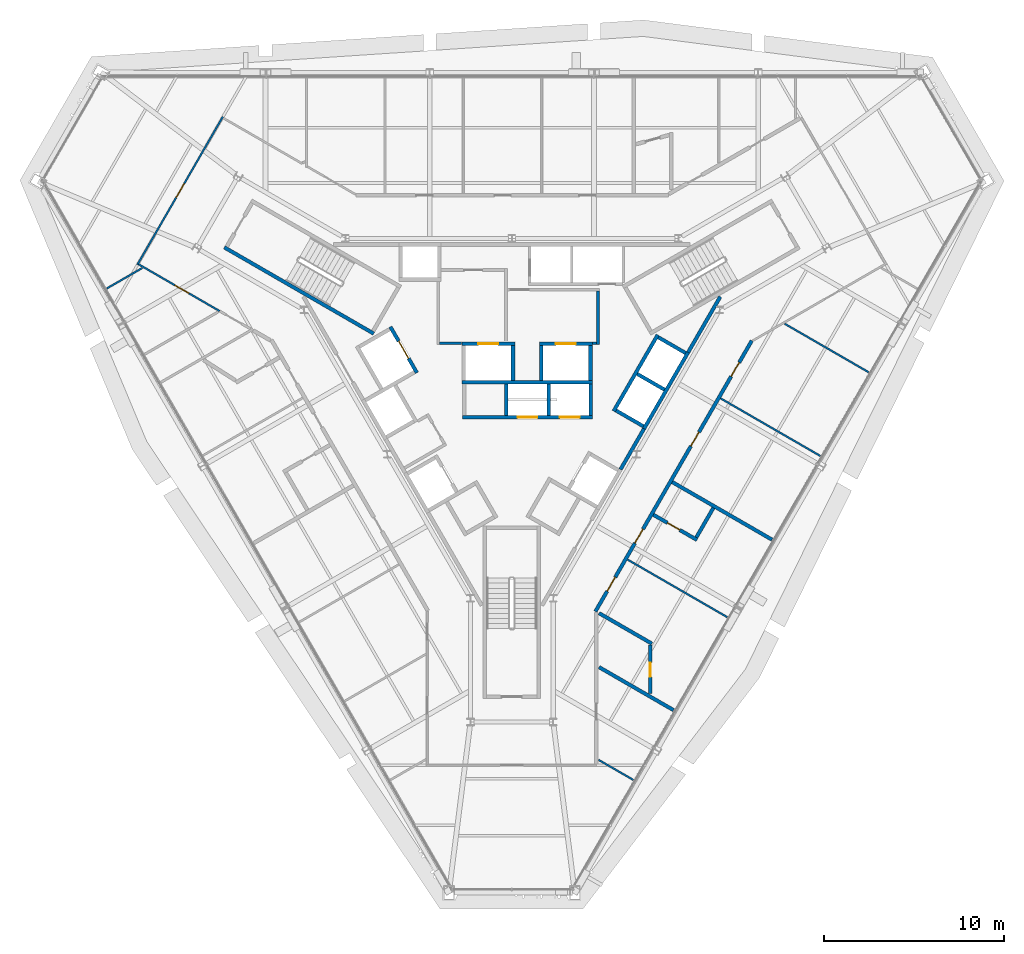
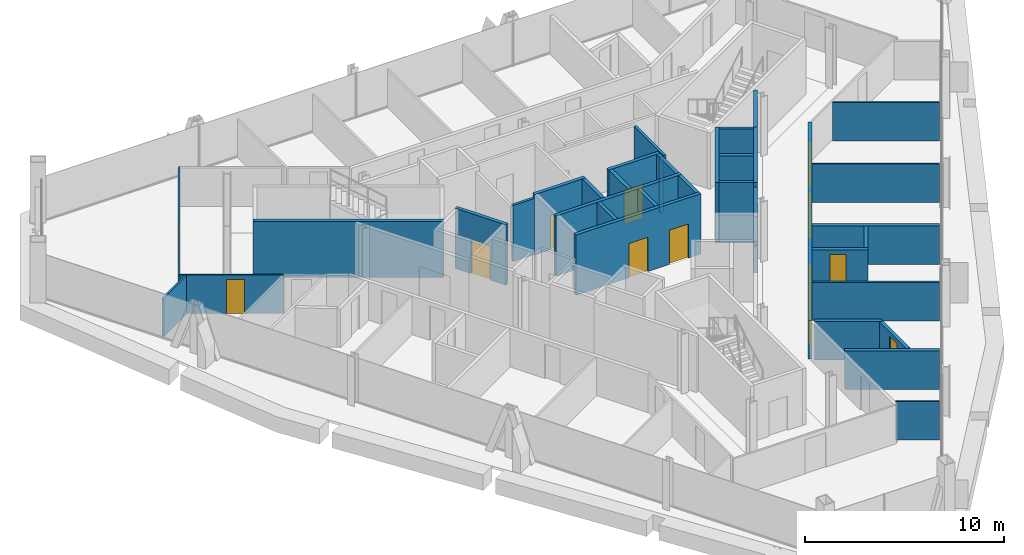
# One storey, part 11 of 15: 36 walls, 13 doors, 13 openings.
"""IFC4 building model written with IfcOpenShell, lengths in metres."""

import ifcopenshell
import ifcopenshell.guid

model = None  # the IFC model being written
_history = None  # IfcOwnerHistory: only IFC2X3 demands one
_inside = {}  # id of a spatial element -> (the spatial element, [elements in it])
_under = {}  # id of a project, library or spatial element -> (it, [spatial elements below it])
_declared = {}  # id of a project -> (the project, [libraries it declares])
_typed = {}  # id of a type object -> (the type object, [elements of that type])
_made_of = {}  # id of a material, layer set ... -> (it, [elements and type objects made of it])


def new_model(schema):
    """Start an empty IFC model of exactly this schema.

    Asked for "IFC4X3", IfcOpenShell would pick the latest addendum, in which some entities
    have other attributes; the version numbers below select the first issue.
    IFC2X3 requires an IfcOwnerHistory on every rooted entity: one is made here for all.
    """
    global model, _history
    if schema == "IFC4X3":
        model = ifcopenshell.file(schema_version=(4, 3, 0, 0))
    else:
        model = ifcopenshell.file(schema=schema)
    _inside.clear()
    _under.clear()
    _declared.clear()
    _typed.clear()
    _made_of.clear()
    _history = None
    if model.schema == "IFC2X3":
        org = make("IfcOrganization", Name="unknown")
        user = make(
            "IfcPersonAndOrganization",
            ThePerson=make("IfcPerson", FamilyName="unknown"),
            TheOrganization=org,
        )
        app = make(
            "IfcApplication",
            ApplicationDeveloper=org,
            Version="unknown",
            ApplicationFullName="unknown",
            ApplicationIdentifier="unknown",
        )
        _history = make(
            "IfcOwnerHistory",
            OwningUser=user,
            OwningApplication=app,
            ChangeAction="ADDED",
            CreationDate=0,
        )
    return model


def make(cls, **values):
    """One entity of the class cls with the attributes given. An attribute that is None is left unset."""
    return model.create_entity(
        cls, **{name: value for name, value in values.items() if value is not None}
    )


def rooted(cls, **values):
    """An entity with a GlobalId (a new one), such as an element, a storey or a relation."""
    return make(cls, GlobalId=ifcopenshell.guid.new(), OwnerHistory=_history, **values)


def si_unit(unit_type, name, prefix=None):
    """IfcSIUnit, for example si_unit("LENGTHUNIT", "METRE", prefix="MILLI")."""
    return make("IfcSIUnit", UnitType=unit_type, Prefix=prefix, Name=name)


def assignment(units):
    """IfcUnitAssignment: the units of a project."""
    return None if units is None else make("IfcUnitAssignment", Units=units)


def point(xyz):
    """IfcCartesianPoint."""
    return None if xyz is None else make("IfcCartesianPoint", Coordinates=xyz)


def direction(xyz):
    """IfcDirection."""
    return None if xyz is None else make("IfcDirection", DirectionRatios=xyz)


def frame(location, z_axis=None, x_axis=None):
    """IfcAxis2Placement3D, a coordinate frame: its origin and axes. An axis left out is left unset."""
    return make(
        "IfcAxis2Placement3D",
        Location=point(location),
        Axis=direction(z_axis),
        RefDirection=direction(x_axis),
    )


def frame_2d(location, x_axis=None):
    """IfcAxis2Placement2D, a coordinate frame in the plane: its origin and x axis."""
    return make(
        "IfcAxis2Placement2D", Location=point(location), RefDirection=direction(x_axis)
    )


def origin():
    """The frame at (0, 0, 0) with its axes left unset."""
    return frame((0.0, 0.0, 0.0))


def place(relative_to, where):
    """IfcLocalPlacement: puts the frame where relative to a parent placement (None: the world)."""
    return make(
        "IfcLocalPlacement", PlacementRelTo=relative_to, RelativePlacement=where
    )


def context(
    kind, dimensions, precision=None, world=None, true_north=None, identifier=None
):
    """IfcGeometricRepresentationContext, for example the 3D "Model" context."""
    return make(
        "IfcGeometricRepresentationContext",
        ContextIdentifier=identifier,
        ContextType=kind,
        CoordinateSpaceDimension=dimensions,
        Precision=precision,
        WorldCoordinateSystem=world,
        TrueNorth=true_north,
    )


def subcontext(parent, identifier, kind, view, scale=None):
    """IfcGeometricRepresentationSubContext, for example "Body" below "Model"."""
    return make(
        "IfcGeometricRepresentationSubContext",
        ContextIdentifier=identifier,
        ContextType=kind,
        ParentContext=parent,
        TargetScale=scale,
        TargetView=view,
    )


def project(units=None, contexts=None):
    """IfcProject with its units and contexts."""
    return rooted(
        "IfcProject",
        Name="project",
        RepresentationContexts=contexts,
        UnitsInContext=assignment(units),
    )


def spatial(cls, under=None, at=None, **own):
    """A site, building, storey or space (cls), placed at a placement, below another one or the project."""
    s = rooted(cls, ObjectPlacement=at, **own)
    if under is not None:
        _under.setdefault(under.id(), (under, []))[1].append(s)
    return s


def profile(cls, at=None, kind="AREA", **sizes):
    """A parametric profile (cls). Its sizes go by their IFC names, for example OverallWidth=200.0."""
    return make(cls, ProfileType=kind, Position=at, **sizes)


def rectangle(**sizes):
    """IfcRectangleProfileDef."""
    return profile("IfcRectangleProfileDef", **sizes)


def extrude(swept, where, along, depth):
    """IfcExtrudedAreaSolid: the profile swept, set in the frame where, extruded along a direction by depth."""
    return make(
        "IfcExtrudedAreaSolid",
        SweptArea=swept,
        Position=where,
        ExtrudedDirection=direction(along),
        Depth=depth,
    )


def shape(context_of_items, identifier, shape_type, items):
    """IfcShapeRepresentation: the items that make up one representation, for example the "Body"."""
    return make(
        "IfcShapeRepresentation",
        ContextOfItems=context_of_items,
        RepresentationIdentifier=identifier,
        RepresentationType=shape_type,
        Items=items,
    )


def material(Name=None, Category=None):
    """IfcMaterial."""
    return make("IfcMaterial", Name=Name, Category=Category)


def layer(
    of_material, thickness, ventilated=None, Name=None, Category=None, Priority=None
):
    """IfcMaterialLayer: one layer of a wall or slab, of a material (None: an air gap)."""
    return make(
        "IfcMaterialLayer",
        Material=of_material,
        LayerThickness=thickness,
        IsVentilated=ventilated,
        Name=Name,
        Category=Category,
        Priority=Priority,
    )


def layer_set(layers, Name=None):
    """IfcMaterialLayerSet."""
    return make("IfcMaterialLayerSet", MaterialLayers=layers, LayerSetName=Name)


def made_of(thing, what):
    """Note that an element or type object is made of a material, layer set ...; save() writes the relation."""
    if what is not None:
        _made_of.setdefault(what.id(), (what, []))[1].append(thing)
    return thing


def type_object(cls, material=None, **own):
    """A type object (cls), such as IfcWallType, which elements share."""
    return made_of(rooted(cls, **own), material)


def element(
    cls,
    number,
    at=None,
    inside=None,
    cuts=None,
    type_object=None,
    material=None,
    context=None,
    identifier="Body",
    shape_type=None,
    held_by="IfcProductDefinitionShape",
    body=None,
    shapes=None,
    **own,
):
    """One element of the class cls, such as IfcWall. Its Tag is "e" and its number.

    at: its placement. inside: the storey or other place that contains it. cuts: it is an
    opening in that element (IfcRelVoidsElement). A single representation is given by context,
    identifier, shape_type and body (its items); several are given by shapes. held_by: the class
    of the entity that holds the representations. save() writes the other relations.
    """
    e = rooted(cls, Tag="e%d" % number, ObjectPlacement=at, **own)
    if body is not None:
        shapes = [shape(context, identifier, shape_type, body)]
    if shapes is not None:
        e.Representation = make(held_by, Representations=shapes)
    if inside is not None:
        _inside.setdefault(inside.id(), (inside, []))[1].append(e)
    if cuts is not None:
        rooted(
            "IfcRelVoidsElement", RelatingBuildingElement=cuts, RelatedOpeningElement=e
        )
    if type_object is not None:
        _typed.setdefault(type_object.id(), (type_object, []))[1].append(e)
    return made_of(e, material)


def fill(opening, filler):
    """IfcRelFillsElement: the door or window that sits in an opening."""
    return rooted(
        "IfcRelFillsElement",
        RelatingOpeningElement=opening,
        RelatedBuildingElement=filler,
    )


def aggregate(whole, parts):
    """IfcRelAggregates: a whole, such as a stair, and the parts it consists of."""
    return rooted("IfcRelAggregates", RelatingObject=whole, RelatedObjects=parts)


def save(model, path):
    """Write the relations noted so far, then the file.

    IfcRelAggregates (storeys below a building ...), IfcRelContainedInSpatialStructure (elements
    in a storey), IfcRelDefinesByType, IfcRelAssociatesMaterial and IfcRelDeclares: one each for
    every whole, place, type object, material and project.
    """
    for whole, parts in _under.values():
        aggregate(whole, parts)
    for where, things in _inside.values():
        rooted(
            "IfcRelContainedInSpatialStructure",
            RelatedElements=things,
            RelatingStructure=where,
        )
    for kind, things in _typed.values():
        rooted("IfcRelDefinesByType", RelatedObjects=things, RelatingType=kind)
    for what, things in _made_of.values():
        rooted("IfcRelAssociatesMaterial", RelatedObjects=things, RelatingMaterial=what)
    for by, libraries in _declared.values():
        rooted("IfcRelDeclares", RelatingContext=by, RelatedDefinitions=libraries)
    model.write(path)


model = new_model("IFC4")

# Units and contexts
model_context = context("Model", 3, precision=1e-05, world=origin(), true_north=direction((0.0, 1.0)))
body_context = subcontext(model_context, "Body", "Model", "MODEL_VIEW")
ifc_project = project(units=[si_unit("LENGTHUNIT", "METRE"), si_unit("AREAUNIT", "SQUARE_METRE"), si_unit("VOLUMEUNIT", "CUBIC_METRE"), si_unit("PLANEANGLEUNIT", "RADIAN"), si_unit("MASSUNIT", "GRAM", prefix="KILO")], contexts=[model_context])

# Site, building, storey
site_placement = place(None, origin())
site = spatial("IfcSite", under=ifc_project, at=site_placement, CompositionType="ELEMENT")
building_placement = place(site_placement, origin())
building = spatial("IfcBuilding", under=site, at=building_placement, Name="Verrane Prism Tower", CompositionType="ELEMENT")
storey_placement = place(building_placement, frame((0.0, 0.0, 254.5)))
storey = spatial("IfcBuildingStorey", under=building, at=storey_placement, Name="L64", CompositionType="ELEMENT", Elevation=254.5)

# Walls
ifc_material_1 = material(Name="Gypsum board partition", Category="other")
ifc_layer_1 = layer(ifc_material_1, 0.199951171875)
ifc_layer_set_1 = layer_set([ifc_layer_1], Name="CW-200 core boundary wall 2 h")
wall_type_1 = type_object("IfcWallType", Name="CW-200 core boundary wall 2 h", PredefinedType="PARTITIONING", material=ifc_layer_set_1)
wall_1_placement = place(storey_placement, frame((6.0419921875, -4.85498046875, 0.0), z_axis=(0.0, 0.0, 1.0), x_axis=(0.500252727967, 0.865879442048, 0.0)))
element("IfcWall", 1, at=wall_1_placement, inside=storey, type_object=wall_type_1, Name="Core boundary wall CW3-015", PredefinedType="PARTITIONING", context=body_context, shape_type="SweptSolid", body=[
    extrude(rectangle(XDim=2.616943359375, YDim=0.199951171875, at=frame_2d((1.30859375, 0.0))), origin(), (0.0, 0.0, 1.0), 3.449951171875),
])
wall_2_placement = place(storey_placement, frame((9.802978515625, 1.657958984375, 0.0), z_axis=(0.0, 0.0, 1.0), x_axis=(0.499943114462, 0.866058244174, 0.0)))
element("IfcWall", 2, at=wall_2_placement, inside=storey, type_object=wall_type_1, Name="Core boundary wall CW3-016", PredefinedType="PARTITIONING", context=body_context, shape_type="SweptSolid", body=[
    extrude(rectangle(XDim=3.57568359375, YDim=0.199951171875, at=frame_2d((1.787841796875, 0.0))), origin(), (0.0, 0.0, 1.0), 3.449951171875),
])
ifc_material_2 = material(Name="Concrete C40/50", Category="concrete")
ifc_layer_2 = layer(ifc_material_2, 0.199951171875)
ifc_layer_set_2 = layer_set([ifc_layer_2], Name="CW-200 stair core wall concrete C40/50 3 h")
wall_type_2 = type_object("IfcWallType", Name="CW-200 stair core wall concrete C40/50 3 h", PredefinedType="PARTITIONING", material=ifc_layer_set_2)
wall_3_placement = place(storey_placement, frame((-7.67822265625, 2.700927734375, 0.0), z_axis=(0.0, 0.0, 1.0), x_axis=(-0.866019993635, 0.500009370536, 0.0)))
element("IfcWall", 3, at=wall_3_placement, inside=storey, type_object=wall_type_2, Name="Stair 2 enclosure wall", PredefinedType="PARTITIONING", context=body_context, shape_type="SweptSolid", body=[
    extrude(rectangle(XDim=9.599853515625, YDim=0.199951171875, at=frame_2d((4.7998046875, 0.0))), origin(), (0.0, 0.0, 1.0), 3.449951171875),
])

# Wall, openings, doors
ifc_material_3 = material(Name="Gypsum board shaft wall assembly", Category="other")
ifc_layer_3 = layer(ifc_material_3, 0.199951171875)
ifc_layer_set_3 = layer_set([ifc_layer_3], Name="HW-200 lift shaft wall 2 h")
wall_type_3 = type_object("IfcWallType", Name="HW-200 lift shaft wall 2 h", PredefinedType="PARTITIONING", material=ifc_layer_set_3)
wall_4_placement = place(storey_placement, frame((-2.7548828125, -1.949951171875, 0.0), z_axis=(0.0, 0.0, 1.0), x_axis=(1.0, 0.0, 0.0)))
wall_4 = element("IfcWall", 4, at=wall_4_placement, inside=storey, type_object=wall_type_3, Name="Lift shaft wall", PredefinedType="PARTITIONING", context=body_context, shape_type="SweptSolid", body=[
    extrude(rectangle(XDim=7.25, YDim=0.199951171875, at=frame_2d((3.625, 0.0))), origin(), (0.0, 0.0, 1.0), 3.699951171875),
])
opening_1_placement = place(wall_4_placement, frame((3.074951171875, 0.0, 0.0)))
opening_1 = element("IfcOpeningElement", 5, at=opening_1_placement, cuts=wall_4, Name="Opening D62503", PredefinedType="OPENING", context=body_context, shape_type="SweptSolid", body=[
    extrude(rectangle(XDim=1.10009765625, YDim=2.10009765625, at=frame_2d((0.550048828125, 1.050048828125))), frame((0.0, 0.10986328125, 0.0), z_axis=(0.0, -1.0, 0.0), x_axis=(1.0, 0.0, 0.0)), (0.0, 0.0, 1.0), 0.219970703125),
])
opening_2_placement = place(wall_4_placement, frame((5.425048828125, 0.0, 0.0)))
opening_2 = element("IfcOpeningElement", 6, at=opening_2_placement, cuts=wall_4, Name="Opening D62504", PredefinedType="OPENING", context=body_context, shape_type="SweptSolid", body=[
    extrude(rectangle(XDim=1.10009765625, YDim=2.10009765625, at=frame_2d((0.550048828125, 1.050048828125))), frame((0.0, 0.10986328125, 0.0), z_axis=(0.0, -1.0, 0.0), x_axis=(1.0, 0.0, 0.0)), (0.0, 0.0, 1.0), 0.219970703125),
])
ifc_material_4 = material(Name="Stainless steel sliding landing door", Category="steel")
door_type_1 = type_object("IfcDoorType", Name="LD-1100x2100 lift landing door FD90 sliding", OperationType="NOTDEFINED", PredefinedType="DOOR", material=ifc_material_4)
door_1_placement = place(opening_1_placement, origin())
door_1 = element("IfcDoor", 7, at=door_1_placement, inside=storey, type_object=door_type_1, Name="Bank B lift 1 landing door", OperationType="SLIDING_TO_LEFT", OverallHeight=2.10009765625, OverallWidth=1.10009765625, PredefinedType="DOOR", context=body_context, shape_type="SweptSolid", body=[
    extrude(rectangle(XDim=1.10009765625, YDim=2.10009765625, at=frame_2d((0.550048828125, 1.050048828125))), frame((0.0, 0.02490234375, 0.0), z_axis=(0.0, -1.0, 0.0), x_axis=(1.0, 0.0, 0.0)), (0.0, 0.0, 1.0), 0.050048828125),
])
fill(opening_1, door_1)
door_2_placement = place(opening_2_placement, origin())
door_2 = element("IfcDoor", 8, at=door_2_placement, inside=storey, type_object=door_type_1, Name="Bank B lift 2 landing door", OperationType="SLIDING_TO_RIGHT", OverallHeight=2.10009765625, OverallWidth=1.10009765625, PredefinedType="DOOR", context=body_context, shape_type="SweptSolid", body=[
    extrude(rectangle(XDim=1.10009765625, YDim=2.10009765625, at=frame_2d((0.550048828125, 1.050048828125))), frame((0.0, 0.02490234375, 0.0), z_axis=(0.0, -1.0, 0.0), x_axis=(1.0, 0.0, 0.0)), (0.0, 0.0, 1.0), 0.050048828125),
])
fill(opening_2, door_2)

# Wall
wall_5_placement = place(storey_placement, frame((-2.784912109375, 0.0, 0.0), z_axis=(0.0, 0.0, 1.0), x_axis=(1.0, 0.0, 0.0)))
element("IfcWall", 9, at=wall_5_placement, inside=storey, type_object=wall_type_3, Name="Lift shaft wall", PredefinedType="PARTITIONING", context=body_context, shape_type="SweptSolid", body=[
    extrude(rectangle(XDim=7.280029296875, YDim=0.199951171875, at=frame_2d((3.64013671875, 0.0))), origin(), (0.0, 0.0, 1.0), 3.699951171875),
])

# Wall, opening, door
wall_6_placement = place(storey_placement, frame((-2.784912109375, 2.14990234375, 0.0), z_axis=(0.0, 0.0, 1.0), x_axis=(1.0, 0.0, 0.0)))
wall_6 = element("IfcWall", 10, at=wall_6_placement, inside=storey, type_object=wall_type_3, Name="Lift shaft wall", PredefinedType="PARTITIONING", context=body_context, shape_type="SweptSolid", body=[
    extrude(rectangle(XDim=2.949951171875, YDim=0.199951171875, at=frame_2d((1.47509765625, 0.0))), origin(), (0.0, 0.0, 1.0), 3.699951171875),
])
opening_3_placement = place(wall_6_placement, frame((0.925048828125, 0.0, 0.0)))
opening_3 = element("IfcOpeningElement", 11, at=opening_3_placement, cuts=wall_6, Name="Opening D62507", PredefinedType="OPENING", context=body_context, shape_type="SweptSolid", body=[
    extrude(rectangle(XDim=1.10009765625, YDim=2.10009765625, at=frame_2d((0.550048828125, 1.050048828125))), frame((0.0, 0.10986328125, 0.0), z_axis=(0.0, -1.0, 0.0), x_axis=(1.0, 0.0, 0.0)), (0.0, 0.0, 1.0), 0.219970703125),
])
door_3_placement = place(opening_3_placement, origin())
door_3 = element("IfcDoor", 12, at=door_3_placement, inside=storey, type_object=door_type_1, Name="Fire service lift 1 landing door", OperationType="SLIDING_TO_LEFT", OverallHeight=2.10009765625, OverallWidth=1.10009765625, PredefinedType="DOOR", context=body_context, shape_type="SweptSolid", body=[
    extrude(rectangle(XDim=1.10009765625, YDim=2.10009765625, at=frame_2d((0.550048828125, 1.050048828125))), frame((0.0, 0.02490234375, 0.0), z_axis=(0.0, -1.0, 0.0), x_axis=(1.0, 0.0, 0.0)), (0.0, 0.0, 1.0), 0.050048828125),
])
fill(opening_3, door_3)

wall_7_placement = place(storey_placement, frame((1.52490234375, 2.14990234375, 0.0), z_axis=(0.0, 0.0, 1.0), x_axis=(1.0, 0.0, 0.0)))
wall_7 = element("IfcWall", 13, at=wall_7_placement, inside=storey, type_object=wall_type_3, Name="Lift shaft wall", PredefinedType="PARTITIONING", context=body_context, shape_type="SweptSolid", body=[
    extrude(rectangle(XDim=2.9501953125, YDim=0.199951171875, at=frame_2d((1.47509765625, 0.0))), origin(), (0.0, 0.0, 1.0), 3.699951171875),
])
opening_4_placement = place(wall_7_placement, frame((0.925048828125, 0.0, 0.0)))
opening_4 = element("IfcOpeningElement", 14, at=opening_4_placement, cuts=wall_7, Name="Opening D62508", PredefinedType="OPENING", context=body_context, shape_type="SweptSolid", body=[
    extrude(rectangle(XDim=1.10009765625, YDim=2.10009765625, at=frame_2d((0.550048828125, 1.050048828125))), frame((0.0, 0.10986328125, 0.0), z_axis=(0.0, -1.0, 0.0), x_axis=(1.0, 0.0, 0.0)), (0.0, 0.0, 1.0), 0.219970703125),
])
door_4_placement = place(opening_4_placement, origin())
door_4 = element("IfcDoor", 15, at=door_4_placement, inside=storey, type_object=door_type_1, Name="Fire service lift 2 landing door", OperationType="SLIDING_TO_RIGHT", OverallHeight=2.10009765625, OverallWidth=1.10009765625, PredefinedType="DOOR", context=body_context, shape_type="SweptSolid", body=[
    extrude(rectangle(XDim=1.10009765625, YDim=2.10009765625, at=frame_2d((0.550048828125, 1.050048828125))), frame((0.0, 0.02490234375, 0.0), z_axis=(0.0, -1.0, 0.0), x_axis=(1.0, 0.0, 0.0)), (0.0, 0.0, 1.0), 0.050048828125),
])
fill(opening_4, door_4)

# Walls
wall_8_placement = place(storey_placement, frame((7.351318359375, -2.587158203125, 0.0), z_axis=(0.0, 0.0, 1.0), x_axis=(0.500002801628, 0.866023786258, 0.0)))
element("IfcWall", 16, at=wall_8_placement, inside=storey, type_object=wall_type_3, Name="Lift shaft wall", PredefinedType="PARTITIONING", context=body_context, shape_type="SweptSolid", body=[
    extrude(rectangle(XDim=4.89990234375, YDim=0.199951171875, at=frame_2d((2.449951171875, 0.0))), origin(), (0.0, 0.0, 1.0), 3.699951171875),
])
wall_9_placement = place(storey_placement, frame((5.66259765625, -1.6123046875, 0.0), z_axis=(0.0, 0.0, 1.0), x_axis=(0.49998122708, 0.866036242063, 0.0)))
element("IfcWall", 17, at=wall_9_placement, inside=storey, type_object=wall_type_3, Name="Lift shaft wall", PredefinedType="PARTITIONING", context=body_context, shape_type="SweptSolid", body=[
    extrude(rectangle(XDim=4.900146484375, YDim=0.199951171875, at=frame_2d((2.4501953125, 0.0))), origin(), (0.0, 0.0, 1.0), 3.699951171875),
])
wall_10_placement = place(storey_placement, frame((4.39501953125, -1.85009765625, 0.0), z_axis=(0.0, 0.0, 1.0), x_axis=(0.0, 1.0, 0.0)))
element("IfcWall", 18, at=wall_10_placement, inside=storey, type_object=wall_type_3, Name="Lift shaft wall", PredefinedType="PARTITIONING", context=body_context, shape_type="SweptSolid", body=[
    extrude(rectangle(XDim=1.75, YDim=0.199951171875, at=frame_2d((0.875, 0.0))), origin(), (0.0, 0.0, 1.0), 3.699951171875),
])
wall_11_placement = place(storey_placement, frame((4.375, 0.10009765625, 0.0), z_axis=(0.0, 0.0, 1.0), x_axis=(0.0, 1.0, 0.0)))
element("IfcWall", 19, at=wall_11_placement, inside=storey, type_object=wall_type_3, Name="Lift shaft wall", PredefinedType="PARTITIONING", context=body_context, shape_type="SweptSolid", body=[
    extrude(rectangle(XDim=1.949951171875, YDim=0.199951171875, at=frame_2d((0.97509765625, 0.0))), origin(), (0.0, 0.0, 1.0), 3.699951171875),
])
wall_12_placement = place(storey_placement, frame((2.044921875, -1.85009765625, 0.0), z_axis=(0.0, 0.0, 1.0), x_axis=(0.0, 1.0, 0.0)))
element("IfcWall", 20, at=wall_12_placement, inside=storey, type_object=wall_type_3, Name="Lift shaft wall", PredefinedType="PARTITIONING", context=body_context, shape_type="SweptSolid", body=[
    extrude(rectangle(XDim=1.75, YDim=0.199951171875, at=frame_2d((0.875, 0.0))), origin(), (0.0, 0.0, 1.0), 3.699951171875),
])
for number, where, z_axis, x_axis, name in (
    (21, (1.625, 0.10009765625, 0.0), (0.0, 0.0, 1.0), (0.0, 1.0, 0.0), "Lift shaft wall"),
    (22, (0.06494140625, 0.10009765625, 0.0), (0.0, 0.0, 1.0), (0.0, 1.0, 0.0), "Lift shaft wall"),
):
    element("IfcWall", number, at=place(storey_placement, frame(where, z_axis=z_axis, x_axis=x_axis)), inside=storey, type_object=wall_type_3, Name=name, PredefinedType="PARTITIONING", context=body_context, shape_type="SweptSolid", body=[
        extrude(rectangle(XDim=1.949951171875, YDim=0.199951171875, at=frame_2d((0.97509765625, 0.0))), origin(), (0.0, 0.0, 1.0), 3.699951171875),
    ])
wall_13_placement = place(storey_placement, frame((-0.304931640625, -1.85009765625, 0.0), z_axis=(0.0, 0.0, 1.0), x_axis=(0.0, 1.0, 0.0)))
element("IfcWall", 23, at=wall_13_placement, inside=storey, type_object=wall_type_3, Name="Lift shaft wall", PredefinedType="PARTITIONING", context=body_context, shape_type="SweptSolid", body=[
    extrude(rectangle(XDim=1.75, YDim=0.199951171875, at=frame_2d((0.875, 0.0))), origin(), (0.0, 0.0, 1.0), 3.699951171875),
])

# Wall, opening, door
wall_14_placement = place(storey_placement, frame((-5.280029296875, 0.525390625, 0.0), z_axis=(0.0, 0.0, 1.0), x_axis=(-0.500037662692, 0.866003658127, 0.0)))
wall_14 = element("IfcWall", 24, at=wall_14_placement, inside=storey, type_object=wall_type_3, Name="Lift shaft wall", PredefinedType="PARTITIONING", context=body_context, shape_type="SweptSolid", body=[
    extrude(rectangle(XDim=2.949951171875, YDim=0.199951171875, at=frame_2d((1.47509765625, 0.0))), origin(), (0.0, 0.0, 1.0), 3.699951171875),
])
opening_5_placement = place(wall_14_placement, frame((0.925048828125, 0.0, 0.0)))
opening_5 = element("IfcOpeningElement", 25, at=opening_5_placement, cuts=wall_14, Name="Opening D62509", PredefinedType="OPENING", context=body_context, shape_type="SweptSolid", body=[
    extrude(rectangle(XDim=1.10009765625, YDim=2.10009765625, at=frame_2d((0.550048828125, 1.050048828125))), frame((0.0, 0.10986328125, 0.0), z_axis=(0.0, -1.0, 0.0), x_axis=(1.0, 0.0, 0.0)), (0.0, 0.0, 1.0), 0.219970703125),
])
door_5_placement = place(opening_5_placement, origin())
door_5 = element("IfcDoor", 26, at=door_5_placement, inside=storey, type_object=door_type_1, Name="Service lift 1 landing door", OperationType="SLIDING_TO_LEFT", OverallHeight=2.10009765625, OverallWidth=1.10009765625, PredefinedType="DOOR", context=body_context, shape_type="SweptSolid", body=[
    extrude(rectangle(XDim=1.10009765625, YDim=2.10009765625, at=frame_2d((0.550048828125, 1.050048828125))), frame((0.0, 0.02490234375, 0.0), z_axis=(0.0, -1.0, 0.0), x_axis=(1.0, 0.0, 0.0)), (0.0, 0.0, 1.0), 0.050048828125),
])
fill(opening_5, door_5)

# Walls
wall_15_placement = place(storey_placement, frame((9.66455078125, 1.61962890625, 0.0), z_axis=(0.0, 0.0, 1.0), x_axis=(-0.866002029911, 0.500040482552, 0.0)))
element("IfcWall", 27, at=wall_15_placement, inside=storey, type_object=wall_type_3, Name="Lift shaft wall", PredefinedType="PARTITIONING", context=body_context, shape_type="SweptSolid", body=[
    extrude(rectangle(XDim=1.749755859375, YDim=0.199951171875, at=frame_2d((0.875, 0.0))), origin(), (0.0, 0.0, 1.0), 3.699951171875),
])
for number, where, z_axis, x_axis, name in (
    (28, (8.48974609375, -0.41552734375, 0.0), (0.0, 0.0, 1.0), (-0.866036909293, 0.499980071345, 0.0), "Lift shaft wall"),
    (29, (7.314697265625, -2.45068359375, 0.0), (0.0, 0.0, 1.0), (-0.866036909293, 0.499980071345, 0.0), "Lift shaft wall"),
):
    element("IfcWall", number, at=place(storey_placement, frame(where, z_axis=z_axis, x_axis=x_axis)), inside=storey, type_object=wall_type_3, Name=name, PredefinedType="PARTITIONING", context=body_context, shape_type="SweptSolid", body=[
        extrude(rectangle(XDim=1.75, YDim=0.199951171875, at=frame_2d((0.875, 0.0))), origin(), (0.0, 0.0, 1.0), 3.699951171875),
    ])
ifc_material_5 = material(Name="Gypsum board partition", Category="other")
ifc_layer_4 = layer(ifc_material_5, 0.14990234375)
ifc_layer_set_4 = layer_set([ifc_layer_4], Name="LF-150 firefighting lobby wall 1 h")
wall_type_4 = type_object("IfcWallType", Name="LF-150 firefighting lobby wall 1 h", PredefinedType="PARTITIONING", material=ifc_layer_set_4)
wall_16_placement = place(storey_placement, frame((-4.02490234375, 2.159912109375, 0.0), z_axis=(0.0, 0.0, 1.0), x_axis=(1.0, 0.0, 0.0)))
element("IfcWall", 30, at=wall_16_placement, inside=storey, type_object=wall_type_4, Name="Firefighting lobby wall LF1-009", PredefinedType="PARTITIONING", context=body_context, shape_type="SweptSolid", body=[
    extrude(rectangle(XDim=1.23779296875, YDim=0.14990234375, at=frame_2d((0.618896484375, 0.0))), origin(), (0.0, 0.0, 1.0), 3.449951171875),
])
wall_17_placement = place(storey_placement, frame((4.47705078125, 2.159912109375, 0.0), z_axis=(0.0, 0.0, 1.0), x_axis=(1.0, 0.0, 0.0)))
element("IfcWall", 31, at=wall_17_placement, inside=storey, type_object=wall_type_4, Name="Firefighting lobby wall LF1-013", PredefinedType="PARTITIONING", context=body_context, shape_type="SweptSolid", body=[
    extrude(rectangle(XDim=0.238037109375, YDim=0.14990234375, at=frame_2d((0.119140625, 0.0))), origin(), (0.0, 0.0, 1.0), 3.449951171875),
])
wall_18_placement = place(storey_placement, frame((4.7900390625, 2.0849609375, 0.0), z_axis=(0.0, 0.0, 1.0), x_axis=(0.0, 1.0, 0.0)))
element("IfcWall", 32, at=wall_18_placement, inside=storey, type_object=wall_type_4, Name="Firefighting lobby wall LF1-014", PredefinedType="PARTITIONING", context=body_context, shape_type="SweptSolid", body=[
    extrude(rectangle(XDim=2.97998046875, YDim=0.14990234375, at=frame_2d((1.489990234375, 0.0))), origin(), (0.0, 0.0, 1.0), 3.449951171875),
])
ifc_material_6 = material(Name="Gypsum board partition", Category="other")
ifc_layer_5 = layer(ifc_material_6, 0.10009765625)
ifc_layer_set_5 = layer_set([ifc_layer_5], Name="PW-100 room partition")
wall_type_5 = type_object("IfcWallType", Name="PW-100 room partition", PredefinedType="PARTITIONING", material=ifc_layer_set_5)
wall_19_placement = place(storey_placement, frame((-22.529541015625, 5.210205078125, 0.0), z_axis=(0.0, 0.0, 1.0), x_axis=(0.865865073245, 0.500277597875, 0.0)))
element("IfcWall", 33, at=wall_19_placement, inside=storey, type_object=wall_type_5, Name="Room partition 001", PredefinedType="PARTITIONING", context=body_context, shape_type="SweptSolid", body=[
    extrude(rectangle(XDim=2.283935546875, YDim=0.10009765625, at=frame_2d((1.14208984375, 0.0))), origin(), (0.0, 0.0, 1.0), 2.362060546875),
])

# Wall, opening, door
wall_20_placement = place(storey_placement, frame((-16.2529296875, 3.95703125, 0.0), z_axis=(0.0, 0.0, 1.0), x_axis=(-0.866006514596, 0.500032715607, 0.0)))
wall_20 = element("IfcWall", 34, at=wall_20_placement, inside=storey, type_object=wall_type_5, Name="Room partition 002", PredefinedType="PARTITIONING", context=body_context, shape_type="SweptSolid", body=[
    extrude(rectangle(XDim=5.199462890625, YDim=0.10009765625, at=frame_2d((2.599609375, 0.0))), origin(), (0.0, 0.0, 1.0), 2.362060546875),
])
opening_6_placement = place(wall_20_placement, frame((1.9775390625, 0.0, 0.0)))
opening_6 = element("IfcOpeningElement", 35, at=opening_6_placement, cuts=wall_20, Name="Opening D62018", PredefinedType="OPENING", context=body_context, shape_type="SweptSolid", body=[
    extrude(rectangle(XDim=0.89990234375, YDim=2.10009765625, at=frame_2d((0.449951171875, 1.050048828125))), frame((0.0, 0.06005859375, 0.0), z_axis=(0.0, -1.0, 0.0), x_axis=(1.0, 0.0, 0.0)), (0.0, 0.0, 1.0), 0.1201171875),
])
ifc_material_7 = material(Name="Timber veneered door leaf", Category="wood")
door_type_2 = type_object("IfcDoorType", Name="DR-900x2100 single leaf unit", OperationType="NOTDEFINED", PredefinedType="DOOR", material=ifc_material_7)
door_6_placement = place(opening_6_placement, origin())
door_6 = element("IfcDoor", 36, at=door_6_placement, inside=storey, type_object=door_type_2, Name="Kitchen door", OperationType="SINGLE_SWING_LEFT", OverallHeight=2.10009765625, OverallWidth=0.89990234375, PredefinedType="DOOR", context=body_context, shape_type="SweptSolid", body=[
    extrude(rectangle(XDim=0.89990234375, YDim=2.10009765625, at=frame_2d((0.449951171875, 1.050048828125))), frame((0.0, 0.02490234375, 0.0), z_axis=(0.0, -1.0, 0.0), x_axis=(1.0, 0.0, 0.0)), (0.0, 0.0, 1.0), 0.050048828125),
])
fill(opening_6, door_6)

wall_21_placement = place(storey_placement, frame((-20.823974609375, 6.538818359375, 0.0), z_axis=(0.0, 0.0, 1.0), x_axis=(0.500297300687, 0.865853689098, 0.0)))
wall_21 = element("IfcWall", 37, at=wall_21_placement, inside=storey, type_object=wall_type_5, Name="Room partition 003", PredefinedType="PARTITIONING", context=body_context, shape_type="SweptSolid", body=[
    extrude(rectangle(XDim=9.496337890625, YDim=0.10009765625, at=frame_2d((4.748046875, 0.0))), origin(), (0.0, 0.0, 1.0), 2.362060546875),
])
opening_7_placement = place(wall_21_placement, frame((4.300048828125, 0.0, 0.0)))
opening_7 = element("IfcOpeningElement", 38, at=opening_7_placement, cuts=wall_21, Name="Opening D62017", PredefinedType="OPENING", context=body_context, shape_type="SweptSolid", body=[
    extrude(rectangle(XDim=0.89990234375, YDim=2.10009765625, at=frame_2d((0.449951171875, 1.050048828125))), frame((0.0, 0.06005859375, 0.0), z_axis=(0.0, -1.0, 0.0), x_axis=(1.0, 0.0, 0.0)), (0.0, 0.0, 1.0), 0.1201171875),
])
door_7_placement = place(opening_7_placement, origin())
door_7 = element("IfcDoor", 39, at=door_7_placement, inside=storey, type_object=door_type_2, Name="Utility Room door", OperationType="SINGLE_SWING_LEFT", OverallHeight=2.10009765625, OverallWidth=0.89990234375, PredefinedType="DOOR", context=body_context, shape_type="SweptSolid", body=[
    extrude(rectangle(XDim=0.89990234375, YDim=2.10009765625, at=frame_2d((0.449951171875, 1.050048828125))), frame((0.0, 0.02490234375, 0.0), z_axis=(0.0, -1.0, 0.0), x_axis=(1.0, 0.0, 0.0)), (0.0, 0.0, 1.0), 0.050048828125),
])
fill(opening_7, door_7)

# Walls
wall_22_placement = place(storey_placement, frame((4.824951171875, -21.004150390625, 0.0), z_axis=(0.0, 0.0, 1.0), x_axis=(0.866121639155, -0.499833278392, 0.0)))
element("IfcWall", 40, at=wall_22_placement, inside=storey, type_object=wall_type_5, Name="Room partition 029", PredefinedType="PARTITIONING", context=body_context, shape_type="SweptSolid", body=[
    extrude(rectangle(XDim=2.224853515625, YDim=0.10009765625, at=frame_2d((1.1123046875, 0.0))), origin(), (0.0, 0.0, 1.0), 2.362060546875),
])
wall_23_placement = place(storey_placement, frame((6.43603515625, -9.865478515625, 0.0), z_axis=(0.0, 0.0, 1.0), x_axis=(0.866013405822, -0.500020780506, 0.0)))
element("IfcWall", 41, at=wall_23_placement, inside=storey, type_object=wall_type_5, Name="Room partition 033", PredefinedType="PARTITIONING", context=body_context, shape_type="SweptSolid", body=[
    extrude(rectangle(XDim=6.399169921875, YDim=0.10009765625, at=frame_2d((3.19970703125, 0.0))), origin(), (0.0, 0.0, 1.0), 2.362060546875),
])
wall_24_placement = place(storey_placement, frame((11.61181640625, -0.8994140625, 0.0), z_axis=(0.0, 0.0, 1.0), x_axis=(0.865966403178, -0.500102178127, 0.0)))
element("IfcWall", 42, at=wall_24_placement, inside=storey, type_object=wall_type_5, Name="Room partition 043", PredefinedType="PARTITIONING", context=body_context, shape_type="SweptSolid", body=[
    extrude(rectangle(XDim=6.400146484375, YDim=0.10009765625, at=frame_2d((3.2001953125, 0.0))), origin(), (0.0, 0.0, 1.0), 2.362060546875),
])
wall_25_placement = place(storey_placement, frame((15.176025390625, 3.249755859375, 0.0), z_axis=(0.0, 0.0, 1.0), x_axis=(0.865941828667, -0.500144728419, 0.0)))
element("IfcWall", 43, at=wall_25_placement, inside=storey, type_object=wall_type_5, Name="Room partition 045", PredefinedType="PARTITIONING", context=body_context, shape_type="SweptSolid", body=[
    extrude(rectangle(XDim=5.38818359375, YDim=0.10009765625, at=frame_2d((2.694091796875, 0.0))), origin(), (0.0, 0.0, 1.0), 2.362060546875),
])
ifc_material_8 = material(Name="Gypsum board partition", Category="other")
ifc_layer_6 = layer(ifc_material_8, 0.199951171875)
ifc_layer_set_6 = layer_set([ifc_layer_6], Name="PW-200 plumbing wall")
wall_type_6 = type_object("IfcWallType", Name="PW-200 plumbing wall", PredefinedType="PARTITIONING", material=ifc_layer_set_6)
wall_26_placement = place(storey_placement, frame((4.85009765625, -15.845703125, 0.0), z_axis=(0.0, 0.0, 1.0), x_axis=(0.866007055173, -0.500031779381, 0.0)))
element("IfcWall", 44, at=wall_26_placement, inside=storey, type_object=wall_type_6, Name="Plumbing wall 030", PredefinedType="PARTITIONING", context=body_context, shape_type="SweptSolid", body=[
    extrude(rectangle(XDim=4.782470703125, YDim=0.199951171875, at=frame_2d((2.39111328125, 0.0))), origin(), (0.0, 0.0, 1.0), 2.362060546875),
])
wall_27_placement = place(storey_placement, frame((4.85009765625, -12.843505859375, 0.0), z_axis=(0.0, 0.0, 1.0), x_axis=(0.866005731893, -0.500034071167, 0.0)))
element("IfcWall", 45, at=wall_27_placement, inside=storey, type_object=wall_type_6, Name="Plumbing wall 031", PredefinedType="PARTITIONING", context=body_context, shape_type="SweptSolid", body=[
    extrude(rectangle(XDim=3.390869140625, YDim=0.199951171875, at=frame_2d((1.6953125, 0.0))), origin(), (0.0, 0.0, 1.0), 2.362060546875),
])

# Wall, openings, doors
wall_28_placement = place(storey_placement, frame((13.342041015625, 2.306396484375, 0.0), z_axis=(0.0, 0.0, 1.0), x_axis=(-0.499983003136, -0.866035216706, 0.0)))
wall_28 = element("IfcWall", 46, at=wall_28_placement, inside=storey, type_object=wall_type_6, Name="Plumbing wall 032", PredefinedType="PARTITIONING", context=body_context, shape_type="SweptSolid", body=[
    extrude(rectangle(XDim=17.384765625, YDim=0.199951171875, at=frame_2d((8.6923828125, 0.0))), origin(), (0.0, 0.0, 1.0), 2.362060546875),
])
opening_8_placement = place(wall_28_placement, frame((15.184814453125, 0.0, 0.0)))
opening_8 = element("IfcOpeningElement", 47, at=opening_8_placement, cuts=wall_28, Name="Opening D62002", PredefinedType="OPENING", context=body_context, shape_type="SweptSolid", body=[
    extrude(rectangle(XDim=0.89990234375, YDim=2.10009765625, at=frame_2d((0.449951171875, 1.050048828125))), frame((0.0, 0.10986328125, 0.0), z_axis=(0.0, -1.0, 0.0), x_axis=(1.0, 0.0, 0.0)), (0.0, 0.0, 1.0), 0.219970703125),
])
opening_9_placement = place(wall_28_placement, frame((12.09375, 0.0, 0.0)))
opening_9 = element("IfcOpeningElement", 48, at=opening_9_placement, cuts=wall_28, Name="Opening D62004", PredefinedType="OPENING", context=body_context, shape_type="SweptSolid", body=[
    extrude(rectangle(XDim=0.89990234375, YDim=2.10009765625, at=frame_2d((0.449951171875, 1.050048828125))), frame((0.0, 0.10986328125, 0.0), z_axis=(0.0, -1.0, 0.0), x_axis=(1.0, 0.0, 0.0)), (0.0, 0.0, 1.0), 0.219970703125),
])
opening_10_placement = place(wall_28_placement, frame((5.86669921875, 0.0, 0.0)))
opening_10 = element("IfcOpeningElement", 49, at=opening_10_placement, cuts=wall_28, Name="Opening D62006", PredefinedType="OPENING", context=body_context, shape_type="SweptSolid", body=[
    extrude(rectangle(XDim=0.89990234375, YDim=2.10009765625, at=frame_2d((0.449951171875, 1.050048828125))), frame((0.0, 0.10986328125, 0.0), z_axis=(0.0, -1.0, 0.0), x_axis=(1.0, 0.0, 0.0)), (0.0, 0.0, 1.0), 0.219970703125),
])
opening_11_placement = place(wall_28_placement, frame((1.391845703125, 0.0, 0.0)))
opening_11 = element("IfcOpeningElement", 50, at=opening_11_placement, cuts=wall_28, Name="Opening D62007", PredefinedType="OPENING", context=body_context, shape_type="SweptSolid", body=[
    extrude(rectangle(XDim=0.89990234375, YDim=2.10009765625, at=frame_2d((0.449951171875, 1.050048828125))), frame((0.0, 0.10986328125, 0.0), z_axis=(0.0, -1.0, 0.0), x_axis=(1.0, 0.0, 0.0)), (0.0, 0.0, 1.0), 0.219970703125),
])
ifc_material_9 = material(Name="Timber veneered door leaf", Category="wood")
door_type_3 = type_object("IfcDoorType", Name="DR-900x2100 single leaf inner", OperationType="NOTDEFINED", PredefinedType="DOOR", material=ifc_material_9)
door_8_placement = place(opening_8_placement, origin())
door_8 = element("IfcDoor", 51, at=door_8_placement, inside=storey, type_object=door_type_3, Name="Master Bedroom door", OperationType="SINGLE_SWING_LEFT", OverallHeight=2.10009765625, OverallWidth=0.89990234375, PredefinedType="DOOR", context=body_context, shape_type="SweptSolid", body=[
    extrude(rectangle(XDim=0.89990234375, YDim=2.10009765625, at=frame_2d((0.449951171875, 1.050048828125))), frame((0.0, 0.02490234375, 0.0), z_axis=(0.0, -1.0, 0.0), x_axis=(1.0, 0.0, 0.0)), (0.0, 0.0, 1.0), 0.050048828125),
])
fill(opening_8, door_8)
door_9_placement = place(opening_9_placement, origin())
door_9 = element("IfcDoor", 52, at=door_9_placement, inside=storey, type_object=door_type_3, Name="Bedroom door", OperationType="SINGLE_SWING_LEFT", OverallHeight=2.10009765625, OverallWidth=0.89990234375, PredefinedType="DOOR", context=body_context, shape_type="SweptSolid", body=[
    extrude(rectangle(XDim=0.89990234375, YDim=2.10009765625, at=frame_2d((0.449951171875, 1.050048828125))), frame((0.0, 0.02490234375, 0.0), z_axis=(0.0, -1.0, 0.0), x_axis=(1.0, 0.0, 0.0)), (0.0, 0.0, 1.0), 0.050048828125),
])
fill(opening_9, door_9)
door_10_placement = place(opening_10_placement, origin())
door_10 = element("IfcDoor", 53, at=door_10_placement, inside=storey, type_object=door_type_2, Name="Study door", OperationType="SINGLE_SWING_LEFT", OverallHeight=2.10009765625, OverallWidth=0.89990234375, PredefinedType="DOOR", context=body_context, shape_type="SweptSolid", body=[
    extrude(rectangle(XDim=0.89990234375, YDim=2.10009765625, at=frame_2d((0.449951171875, 1.050048828125))), frame((0.0, 0.02490234375, 0.0), z_axis=(0.0, -1.0, 0.0), x_axis=(1.0, 0.0, 0.0)), (0.0, 0.0, 1.0), 0.050048828125),
])
fill(opening_10, door_10)
door_11_placement = place(opening_11_placement, origin())
door_11 = element("IfcDoor", 54, at=door_11_placement, inside=storey, type_object=door_type_2, Name="Study door", OperationType="SINGLE_SWING_RIGHT", OverallHeight=2.10009765625, OverallWidth=0.89990234375, PredefinedType="DOOR", context=body_context, shape_type="SweptSolid", body=[
    extrude(rectangle(XDim=0.89990234375, YDim=2.10009765625, at=frame_2d((0.449951171875, 1.050048828125))), frame((0.0, 0.02490234375, 0.0), z_axis=(0.0, -1.0, 0.0), x_axis=(1.0, 0.0, 0.0)), (0.0, 0.0, 1.0), 0.050048828125),
])
fill(opening_11, door_11)

# Wall, opening, door
wall_29_placement = place(storey_placement, frame((7.699951171875, -17.31884765625, 0.0), z_axis=(0.0, 0.0, 1.0), x_axis=(0.0, 1.0, 0.0)))
wall_29 = element("IfcWall", 55, at=wall_29_placement, inside=storey, type_object=wall_type_6, Name="Plumbing wall 036", PredefinedType="PARTITIONING", context=body_context, shape_type="SweptSolid", body=[
    extrude(rectangle(XDim=2.69482421875, YDim=0.199951171875, at=frame_2d((1.347412109375, 0.0))), origin(), (0.0, 0.0, 1.0), 2.362060546875),
])
opening_12_placement = place(wall_29_placement, frame((0.9267578125, 0.0, 0.0)))
opening_12 = element("IfcOpeningElement", 56, at=opening_12_placement, cuts=wall_29, Name="Opening D62003", PredefinedType="OPENING", context=body_context, shape_type="SweptSolid", body=[
    extrude(rectangle(XDim=0.800048828125, YDim=2.10009765625, at=frame_2d((0.39990234375, 1.050048828125))), frame((0.0, 0.10986328125, 0.0), z_axis=(0.0, -1.0, 0.0), x_axis=(1.0, 0.0, 0.0)), (0.0, 0.0, 1.0), 0.219970703125),
])
ifc_material_10 = material(Name="Timber veneered door leaf", Category="wood")
door_type_4 = type_object("IfcDoorType", Name="DR-800x2100 single leaf bath", OperationType="NOTDEFINED", PredefinedType="DOOR", material=ifc_material_10)
door_12_placement = place(opening_12_placement, origin())
door_12 = element("IfcDoor", 57, at=door_12_placement, inside=storey, type_object=door_type_4, Name="Master Bathroom door", OperationType="SINGLE_SWING_LEFT", OverallHeight=2.10009765625, OverallWidth=0.800048828125, PredefinedType="DOOR", context=body_context, shape_type="SweptSolid", body=[
    extrude(rectangle(XDim=0.800048828125, YDim=2.10009765625, at=frame_2d((0.39990234375, 1.050048828125))), frame((0.0, 0.02490234375, 0.0), z_axis=(0.0, -1.0, 0.0), x_axis=(1.0, 0.0, 0.0)), (0.0, 0.0, 1.0), 0.050048828125),
])
fill(opening_12, door_12)

wall_30_placement = place(storey_placement, frame((7.87060546875, -7.37109375, 0.0), z_axis=(0.0, 0.0, 1.0), x_axis=(0.866056369097, -0.49994636267, 0.0)))
wall_30 = element("IfcWall", 58, at=wall_30_placement, inside=storey, type_object=wall_type_6, Name="Plumbing wall 037", PredefinedType="PARTITIONING", context=body_context, shape_type="SweptSolid", body=[
    extrude(rectangle(XDim=2.800048828125, YDim=0.199951171875, at=frame_2d((1.39990234375, 0.0))), origin(), (0.0, 0.0, 1.0), 2.362060546875),
])
opening_13_placement = place(wall_30_placement, frame((0.89990234375, 0.0, 0.0)))
opening_13 = element("IfcOpeningElement", 59, at=opening_13_placement, cuts=wall_30, Name="Opening D62005", PredefinedType="OPENING", context=body_context, shape_type="SweptSolid", body=[
    extrude(rectangle(XDim=0.800048828125, YDim=2.10009765625, at=frame_2d((0.39990234375, 1.050048828125))), frame((0.0, 0.10986328125, 0.0), z_axis=(0.0, -1.0, 0.0), x_axis=(1.0, 0.0, 0.0)), (0.0, 0.0, 1.0), 0.219970703125),
])
door_13_placement = place(opening_13_placement, origin())
door_13 = element("IfcDoor", 60, at=door_13_placement, inside=storey, type_object=door_type_4, Name="Bathroom door", OperationType="SINGLE_SWING_LEFT", OverallHeight=2.10009765625, OverallWidth=0.800048828125, PredefinedType="DOOR", context=body_context, shape_type="SweptSolid", body=[
    extrude(rectangle(XDim=0.800048828125, YDim=2.10009765625, at=frame_2d((0.39990234375, 1.050048828125))), frame((0.0, 0.02490234375, 0.0), z_axis=(0.0, -1.0, 0.0), x_axis=(1.0, 0.0, 0.0)), (0.0, 0.0, 1.0), 0.050048828125),
])
fill(opening_13, door_13)

# Walls
wall_31_placement = place(storey_placement, frame((8.920654296875, -5.552978515625, 0.0), z_axis=(0.0, 0.0, 1.0), x_axis=(0.866026868306, -0.499997463366, 0.0)))
element("IfcWall", 61, at=wall_31_placement, inside=storey, type_object=wall_type_6, Name="Plumbing wall 039", PredefinedType="PARTITIONING", context=body_context, shape_type="SweptSolid", body=[
    extrude(rectangle(XDim=6.40380859375, YDim=0.199951171875, at=frame_2d((3.201904296875, 0.0))), origin(), (0.0, 0.0, 1.0), 2.362060546875),
])
wall_32_placement = place(storey_placement, frame((10.259033203125, -8.634521484375, 0.0), z_axis=(0.0, 0.0, 1.0), x_axis=(0.500078449558, 0.865980106173, 0.0)))
element("IfcWall", 62, at=wall_32_placement, inside=storey, type_object=wall_type_6, Name="Plumbing wall 041", PredefinedType="PARTITIONING", context=body_context, shape_type="SweptSolid", body=[
    extrude(rectangle(XDim=1.899658203125, YDim=0.199951171875, at=frame_2d((0.94970703125, 0.0))), origin(), (0.0, 0.0, 1.0), 2.362060546875),
])

save(model, "model.ifc")
